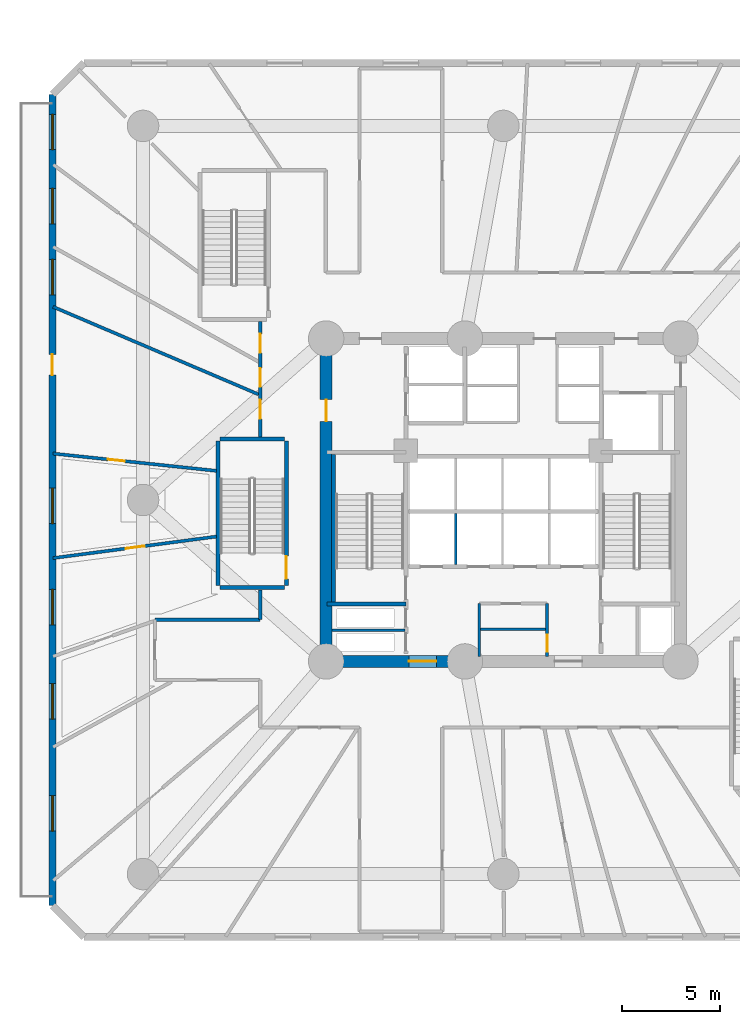
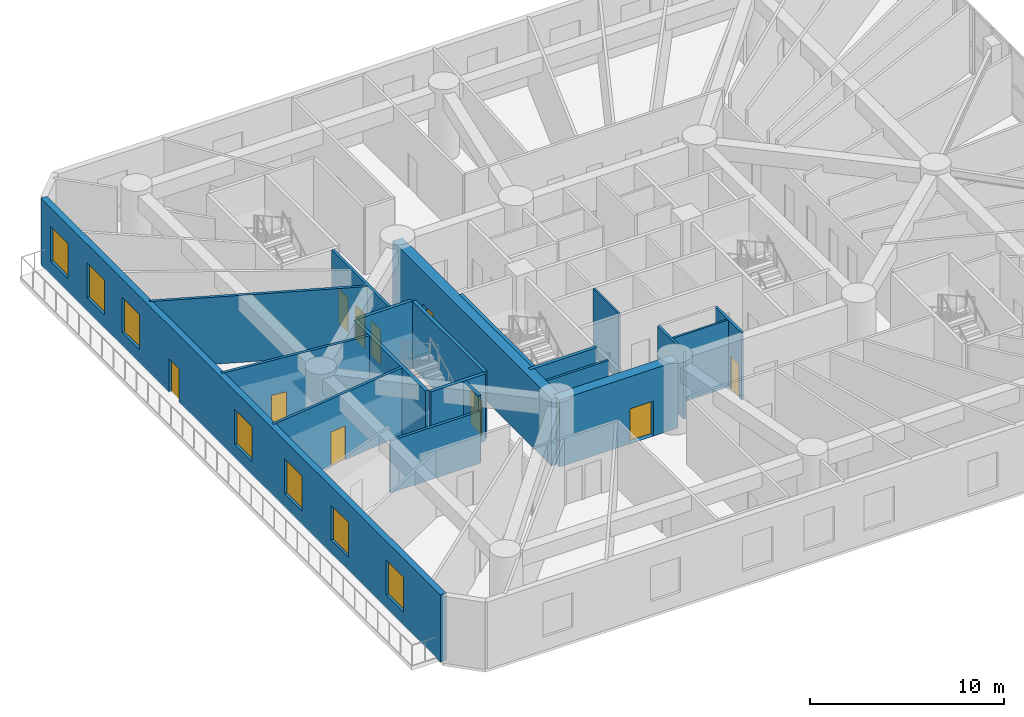
# One storey, part 13 of 24: 20 walls, 10 doors, 7 windows, 17 openings.
"""IFC4 building model written with IfcOpenShell, lengths in metres."""

import ifcopenshell
import ifcopenshell.guid

model = None  # the IFC model being written
_history = None  # IfcOwnerHistory: only IFC2X3 demands one
_inside = {}  # id of a spatial element -> (the spatial element, [elements in it])
_under = {}  # id of a project, library or spatial element -> (it, [spatial elements below it])
_declared = {}  # id of a project -> (the project, [libraries it declares])
_typed = {}  # id of a type object -> (the type object, [elements of that type])
_made_of = {}  # id of a material, layer set ... -> (it, [elements and type objects made of it])


def new_model(schema):
    """Start an empty IFC model of exactly this schema.

    Asked for "IFC4X3", IfcOpenShell would pick the latest addendum, in which some entities
    have other attributes; the version numbers below select the first issue.
    IFC2X3 requires an IfcOwnerHistory on every rooted entity: one is made here for all.
    """
    global model, _history
    if schema == "IFC4X3":
        model = ifcopenshell.file(schema_version=(4, 3, 0, 0))
    else:
        model = ifcopenshell.file(schema=schema)
    _inside.clear()
    _under.clear()
    _declared.clear()
    _typed.clear()
    _made_of.clear()
    _history = None
    if model.schema == "IFC2X3":
        org = make("IfcOrganization", Name="unknown")
        user = make(
            "IfcPersonAndOrganization",
            ThePerson=make("IfcPerson", FamilyName="unknown"),
            TheOrganization=org,
        )
        app = make(
            "IfcApplication",
            ApplicationDeveloper=org,
            Version="unknown",
            ApplicationFullName="unknown",
            ApplicationIdentifier="unknown",
        )
        _history = make(
            "IfcOwnerHistory",
            OwningUser=user,
            OwningApplication=app,
            ChangeAction="ADDED",
            CreationDate=0,
        )
    return model


def make(cls, **values):
    """One entity of the class cls with the attributes given. An attribute that is None is left unset."""
    return model.create_entity(
        cls, **{name: value for name, value in values.items() if value is not None}
    )


def rooted(cls, **values):
    """An entity with a GlobalId (a new one), such as an element, a storey or a relation."""
    return make(cls, GlobalId=ifcopenshell.guid.new(), OwnerHistory=_history, **values)


def si_unit(unit_type, name, prefix=None):
    """IfcSIUnit, for example si_unit("LENGTHUNIT", "METRE", prefix="MILLI")."""
    return make("IfcSIUnit", UnitType=unit_type, Prefix=prefix, Name=name)


def assignment(units):
    """IfcUnitAssignment: the units of a project."""
    return None if units is None else make("IfcUnitAssignment", Units=units)


def point(xyz):
    """IfcCartesianPoint."""
    return None if xyz is None else make("IfcCartesianPoint", Coordinates=xyz)


def direction(xyz):
    """IfcDirection."""
    return None if xyz is None else make("IfcDirection", DirectionRatios=xyz)


def frame(location, z_axis=None, x_axis=None):
    """IfcAxis2Placement3D, a coordinate frame: its origin and axes. An axis left out is left unset."""
    return make(
        "IfcAxis2Placement3D",
        Location=point(location),
        Axis=direction(z_axis),
        RefDirection=direction(x_axis),
    )


def frame_2d(location, x_axis=None):
    """IfcAxis2Placement2D, a coordinate frame in the plane: its origin and x axis."""
    return make(
        "IfcAxis2Placement2D", Location=point(location), RefDirection=direction(x_axis)
    )


def origin():
    """The frame at (0, 0, 0) with its axes left unset."""
    return frame((0.0, 0.0, 0.0))


def origin_with_axes():
    """The frame at (0, 0, 0) with the z axis (0, 0, 1) and the x axis (1, 0, 0) written out."""
    return frame((0.0, 0.0, 0.0), z_axis=(0.0, 0.0, 1.0), x_axis=(1.0, 0.0, 0.0))


def place(relative_to, where):
    """IfcLocalPlacement: puts the frame where relative to a parent placement (None: the world)."""
    return make(
        "IfcLocalPlacement", PlacementRelTo=relative_to, RelativePlacement=where
    )


def context(
    kind, dimensions, precision=None, world=None, true_north=None, identifier=None
):
    """IfcGeometricRepresentationContext, for example the 3D "Model" context."""
    return make(
        "IfcGeometricRepresentationContext",
        ContextIdentifier=identifier,
        ContextType=kind,
        CoordinateSpaceDimension=dimensions,
        Precision=precision,
        WorldCoordinateSystem=world,
        TrueNorth=true_north,
    )


def subcontext(parent, identifier, kind, view, scale=None):
    """IfcGeometricRepresentationSubContext, for example "Body" below "Model"."""
    return make(
        "IfcGeometricRepresentationSubContext",
        ContextIdentifier=identifier,
        ContextType=kind,
        ParentContext=parent,
        TargetScale=scale,
        TargetView=view,
    )


def project(units=None, contexts=None):
    """IfcProject with its units and contexts."""
    return rooted(
        "IfcProject",
        Name="project",
        RepresentationContexts=contexts,
        UnitsInContext=assignment(units),
    )


def spatial(cls, under=None, at=None, **own):
    """A site, building, storey or space (cls), placed at a placement, below another one or the project."""
    s = rooted(cls, ObjectPlacement=at, **own)
    if under is not None:
        _under.setdefault(under.id(), (under, []))[1].append(s)
    return s


def profile(cls, at=None, kind="AREA", **sizes):
    """A parametric profile (cls). Its sizes go by their IFC names, for example OverallWidth=200.0."""
    return make(cls, ProfileType=kind, Position=at, **sizes)


def rectangle(**sizes):
    """IfcRectangleProfileDef."""
    return profile("IfcRectangleProfileDef", **sizes)


def extrude(swept, where, along, depth):
    """IfcExtrudedAreaSolid: the profile swept, set in the frame where, extruded along a direction by depth."""
    return make(
        "IfcExtrudedAreaSolid",
        SweptArea=swept,
        Position=where,
        ExtrudedDirection=direction(along),
        Depth=depth,
    )


def shape(context_of_items, identifier, shape_type, items):
    """IfcShapeRepresentation: the items that make up one representation, for example the "Body"."""
    return make(
        "IfcShapeRepresentation",
        ContextOfItems=context_of_items,
        RepresentationIdentifier=identifier,
        RepresentationType=shape_type,
        Items=items,
    )


def source(mapping_origin, context_of_items, identifier, shape_type, items):
    """IfcRepresentationMap: a shape defined once, which mapped items show again and again."""
    return make(
        "IfcRepresentationMap",
        MappingOrigin=mapping_origin,
        MappedRepresentation=shape(context_of_items, identifier, shape_type, items),
    )


def transform(
    local_origin,
    x_axis=None,
    y_axis=None,
    z_axis=None,
    scale=None,
    scale2=None,
    scale3=None,
    uniform=True,
):
    """IfcCartesianTransformationOperator3D, or its non-uniform kind. x_axis, y_axis, z_axis: its Axis1, 2, 3."""
    if uniform:
        return make(
            "IfcCartesianTransformationOperator3D",
            Axis1=direction(x_axis),
            Axis2=direction(y_axis),
            LocalOrigin=point(local_origin),
            Scale=scale,
            Axis3=direction(z_axis),
        )
    return make(
        "IfcCartesianTransformationOperator3DnonUniform",
        Axis1=direction(x_axis),
        Axis2=direction(y_axis),
        LocalOrigin=point(local_origin),
        Scale=scale,
        Axis3=direction(z_axis),
        Scale2=scale2,
        Scale3=scale3,
    )


def mapped(mapping_source, mapping_target):
    """IfcMappedItem: shows the shape of a source again, moved by a transform."""
    return make(
        "IfcMappedItem", MappingSource=mapping_source, MappingTarget=mapping_target
    )


def material(Name=None, Category=None):
    """IfcMaterial."""
    return make("IfcMaterial", Name=Name, Category=Category)


def layer(
    of_material, thickness, ventilated=None, Name=None, Category=None, Priority=None
):
    """IfcMaterialLayer: one layer of a wall or slab, of a material (None: an air gap)."""
    return make(
        "IfcMaterialLayer",
        Material=of_material,
        LayerThickness=thickness,
        IsVentilated=ventilated,
        Name=Name,
        Category=Category,
        Priority=Priority,
    )


def layer_set(layers, Name=None):
    """IfcMaterialLayerSet."""
    return make("IfcMaterialLayerSet", MaterialLayers=layers, LayerSetName=Name)


def made_of(thing, what):
    """Note that an element or type object is made of a material, layer set ...; save() writes the relation."""
    if what is not None:
        _made_of.setdefault(what.id(), (what, []))[1].append(thing)
    return thing


def type_object(cls, material=None, **own):
    """A type object (cls), such as IfcWallType, which elements share."""
    return made_of(rooted(cls, **own), material)


def element(
    cls,
    number,
    at=None,
    inside=None,
    cuts=None,
    type_object=None,
    material=None,
    context=None,
    identifier="Body",
    shape_type=None,
    held_by="IfcProductDefinitionShape",
    body=None,
    shapes=None,
    **own,
):
    """One element of the class cls, such as IfcWall. Its Tag is "e" and its number.

    at: its placement. inside: the storey or other place that contains it. cuts: it is an
    opening in that element (IfcRelVoidsElement). A single representation is given by context,
    identifier, shape_type and body (its items); several are given by shapes. held_by: the class
    of the entity that holds the representations. save() writes the other relations.
    """
    e = rooted(cls, Tag="e%d" % number, ObjectPlacement=at, **own)
    if body is not None:
        shapes = [shape(context, identifier, shape_type, body)]
    if shapes is not None:
        e.Representation = make(held_by, Representations=shapes)
    if inside is not None:
        _inside.setdefault(inside.id(), (inside, []))[1].append(e)
    if cuts is not None:
        rooted(
            "IfcRelVoidsElement", RelatingBuildingElement=cuts, RelatedOpeningElement=e
        )
    if type_object is not None:
        _typed.setdefault(type_object.id(), (type_object, []))[1].append(e)
    return made_of(e, material)


def fill(opening, filler):
    """IfcRelFillsElement: the door or window that sits in an opening."""
    return rooted(
        "IfcRelFillsElement",
        RelatingOpeningElement=opening,
        RelatedBuildingElement=filler,
    )


def aggregate(whole, parts):
    """IfcRelAggregates: a whole, such as a stair, and the parts it consists of."""
    return rooted("IfcRelAggregates", RelatingObject=whole, RelatedObjects=parts)


def save(model, path):
    """Write the relations noted so far, then the file.

    IfcRelAggregates (storeys below a building ...), IfcRelContainedInSpatialStructure (elements
    in a storey), IfcRelDefinesByType, IfcRelAssociatesMaterial and IfcRelDeclares: one each for
    every whole, place, type object, material and project.
    """
    for whole, parts in _under.values():
        aggregate(whole, parts)
    for where, things in _inside.values():
        rooted(
            "IfcRelContainedInSpatialStructure",
            RelatedElements=things,
            RelatingStructure=where,
        )
    for kind, things in _typed.values():
        rooted("IfcRelDefinesByType", RelatedObjects=things, RelatingType=kind)
    for what, things in _made_of.values():
        rooted("IfcRelAssociatesMaterial", RelatedObjects=things, RelatingMaterial=what)
    for by, libraries in _declared.values():
        rooted("IfcRelDeclares", RelatingContext=by, RelatedDefinitions=libraries)
    model.write(path)


model = new_model("IFC4")

# Units and contexts
model_context = context("Model", 3, precision=1e-05, world=origin(), true_north=direction((0.0, 1.0)))
body_context = subcontext(model_context, "Body", "Model", "MODEL_VIEW")
ifc_project = project(units=[si_unit("LENGTHUNIT", "METRE"), si_unit("AREAUNIT", "SQUARE_METRE"), si_unit("VOLUMEUNIT", "CUBIC_METRE"), si_unit("PLANEANGLEUNIT", "RADIAN"), si_unit("MASSUNIT", "GRAM", prefix="KILO")], contexts=[model_context])

# Site, building, storey
site_placement = place(None, origin())
site = spatial("IfcSite", under=ifc_project, at=site_placement, CompositionType="ELEMENT")
building_placement = place(site_placement, origin())
building = spatial("IfcBuilding", under=site, at=building_placement, Name="Karkom Vertical University and Central Library", CompositionType="ELEMENT")
storey_placement = place(building_placement, frame((0.0, 0.0, 13.5)))
storey = spatial("IfcBuildingStorey", under=building, at=storey_placement, Name="L03", CompositionType="ELEMENT", Elevation=13.5)

# Wall, openings, windows, door
ifc_material_1 = material(Name="Brick masonry 360mm insulated cavity", Category="masonry")
ifc_layer_1 = layer(ifc_material_1, 0.360107421875)
ifc_layer_set_1 = layer_set([ifc_layer_1], Name="Brick masonry 360mm insulated cavity")
wall_type_1 = type_object("IfcWallType", Name="ENV-WL-BRK-360", PredefinedType="SOLIDWALL", material=ifc_layer_set_1)
wall_1_placement = place(storey_placement, frame((5.60009765625, 47.10009765625, 0.0), z_axis=(0.0, 0.0, 1.0), x_axis=(0.0, -1.0, 0.0)))
wall_1 = element("IfcWall", 1, at=wall_1_placement, inside=storey, type_object=wall_type_1, Name="Level 03 POD Terracotta Brick Facade Wall 07", PredefinedType="SOLIDWALL", context=body_context, shape_type="SweptSolid", body=[
    extrude(rectangle(XDim=41.2001953125, YDim=0.360107421875, at=frame_2d((20.60009765625, 0.0))), origin(), (0.0, 0.0, 1.0), 4.22509765625),
])
opening_1_placement = place(wall_1_placement, frame((1.00830078125, 0.0, 0.85009765625)))
opening_1 = element("IfcOpeningElement", 2, at=opening_1_placement, cuts=wall_1, Name="Opening WN-01", PredefinedType="OPENING", context=body_context, shape_type="SweptSolid", body=[
    extrude(rectangle(XDim=1.800048828125, YDim=2.199951171875, at=frame_2d((0.89990234375, 1.10009765625))), frame((0.0, 0.18994140625, 0.0), z_axis=(0.0, -1.0, 0.0), x_axis=(1.0, 0.0, 0.0)), (0.0, 0.0, 1.0), 0.380126953125),
])
opening_2_placement = place(wall_1_placement, frame((4.7734375, 0.0, 0.85009765625)))
opening_2 = element("IfcOpeningElement", 3, at=opening_2_placement, cuts=wall_1, Name="Opening WN-01", PredefinedType="OPENING", context=body_context, shape_type="SweptSolid", body=[
    extrude(rectangle(XDim=1.800048828125, YDim=2.199951171875, at=frame_2d((0.89990234375, 1.10009765625))), frame((0.0, 0.18994140625, 0.0), z_axis=(0.0, -1.0, 0.0), x_axis=(1.0, 0.0, 0.0)), (0.0, 0.0, 1.0), 0.380126953125),
])
opening_3_placement = place(wall_1_placement, frame((8.380615234375, 0.0, 0.85009765625)))
opening_3 = element("IfcOpeningElement", 4, at=opening_3_placement, cuts=wall_1, Name="Opening WN-01", PredefinedType="OPENING", context=body_context, shape_type="SweptSolid", body=[
    extrude(rectangle(XDim=1.800048828125, YDim=2.199951171875, at=frame_2d((0.89990234375, 1.10009765625))), frame((0.0, 0.18994140625, 0.0), z_axis=(0.0, -1.0, 0.0), x_axis=(1.0, 0.0, 0.0)), (0.0, 0.0, 1.0), 0.380126953125),
])
opening_4_placement = place(wall_1_placement, frame((19.995849609375, 0.0, 0.85009765625)))
opening_4 = element("IfcOpeningElement", 5, at=opening_4_placement, cuts=wall_1, Name="Opening WN-01", PredefinedType="OPENING", context=body_context, shape_type="SweptSolid", body=[
    extrude(rectangle(XDim=1.800048828125, YDim=2.199951171875, at=frame_2d((0.89990234375, 1.10009765625))), frame((0.0, 0.18994140625, 0.0), z_axis=(0.0, -1.0, 0.0), x_axis=(1.0, 0.0, 0.0)), (0.0, 0.0, 1.0), 0.380126953125),
])
opening_5_placement = place(wall_1_placement, frame((25.14013671875, 0.0, 0.85009765625)))
opening_5 = element("IfcOpeningElement", 6, at=opening_5_placement, cuts=wall_1, Name="Opening WN-01", PredefinedType="OPENING", context=body_context, shape_type="SweptSolid", body=[
    extrude(rectangle(XDim=1.800048828125, YDim=2.199951171875, at=frame_2d((0.89990234375, 1.10009765625))), frame((0.0, 0.18994140625, 0.0), z_axis=(0.0, -1.0, 0.0), x_axis=(1.0, 0.0, 0.0)), (0.0, 0.0, 1.0), 0.380126953125),
])
opening_6_placement = place(wall_1_placement, frame((29.93310546875, 0.0, 0.85009765625)))
opening_6 = element("IfcOpeningElement", 7, at=opening_6_placement, cuts=wall_1, Name="Opening WN-01", PredefinedType="OPENING", context=body_context, shape_type="SweptSolid", body=[
    extrude(rectangle(XDim=1.800048828125, YDim=2.199951171875, at=frame_2d((0.89990234375, 1.10009765625))), frame((0.0, 0.18994140625, 0.0), z_axis=(0.0, -1.0, 0.0), x_axis=(1.0, 0.0, 0.0)), (0.0, 0.0, 1.0), 0.380126953125),
])
opening_7_placement = place(wall_1_placement, frame((35.61669921875, 0.0, 0.85009765625)))
opening_7 = element("IfcOpeningElement", 8, at=opening_7_placement, cuts=wall_1, Name="Opening WN-01", PredefinedType="OPENING", context=body_context, shape_type="SweptSolid", body=[
    extrude(rectangle(XDim=1.800048828125, YDim=2.199951171875, at=frame_2d((0.89990234375, 1.10009765625))), frame((0.0, 0.18994140625, 0.0), z_axis=(0.0, -1.0, 0.0), x_axis=(1.0, 0.0, 0.0)), (0.0, 0.0, 1.0), 0.380126953125),
])
opening_8_placement = place(wall_1_placement, frame((13.208251953125, 0.0, 0.0)))
opening_8 = element("IfcOpeningElement", 9, at=opening_8_placement, cuts=wall_1, Name="Opening TD-1", PredefinedType="OPENING", context=body_context, shape_type="SweptSolid", body=[
    extrude(rectangle(XDim=1.050048828125, YDim=2.1201171875, at=frame_2d((0.52490234375, 1.06005859375))), frame((0.0, 0.18994140625, 0.0), z_axis=(0.0, -1.0, 0.0), x_axis=(1.0, 0.0, 0.0)), (0.0, 0.0, 1.0), 0.380126953125),
])
ifc_material_2 = material(Name="Aluminium thermal-break frame with solar-control IGU", Category="aluminium")
window_type = type_object("IfcWindowType", Name="ENV-WIN-WN-01", PartitioningType="SINGLE_PANEL", PredefinedType="WINDOW", material=ifc_material_2)
shared_shape_1 = source(origin_with_axes(), body_context, "Body", "SweptSolid", [
    extrude(rectangle(XDim=1.800048828125, YDim=2.199951171875, at=frame_2d((0.89990234375, 1.10009765625))), frame((0.0, 0.030029296875, 0.0), z_axis=(0.0, -1.0, 0.0), x_axis=(1.0, 0.0, 0.0)), (0.0, 0.0, 1.0), 0.06005859375),
])
window_1_placement = place(opening_1_placement, origin())
window_1 = element("IfcWindow", 10, at=window_1_placement, inside=storey, type_object=window_type, Name="Level 03 POD Punched Window 01", OverallHeight=2.199951171875, OverallWidth=1.800048828125, PartitioningType="SINGLE_PANEL", PredefinedType="WINDOW", context=body_context, shape_type="MappedRepresentation", body=[
    mapped(shared_shape_1, transform((0.0, 0.0, 0.0), scale=1.0)),
])
fill(opening_1, window_1)
window_2_placement = place(opening_2_placement, origin())
window_2 = element("IfcWindow", 11, at=window_2_placement, inside=storey, type_object=window_type, Name="Level 03 POD Punched Window 02", OverallHeight=2.199951171875, OverallWidth=1.800048828125, PartitioningType="SINGLE_PANEL", PredefinedType="WINDOW", context=body_context, shape_type="MappedRepresentation", body=[
    mapped(shared_shape_1, transform((0.0, 0.0, 0.0), scale=1.0)),
])
fill(opening_2, window_2)
window_3_placement = place(opening_3_placement, origin())
window_3 = element("IfcWindow", 12, at=window_3_placement, inside=storey, type_object=window_type, Name="Level 03 POD Punched Window 03", OverallHeight=2.199951171875, OverallWidth=1.800048828125, PartitioningType="SINGLE_PANEL", PredefinedType="WINDOW", context=body_context, shape_type="MappedRepresentation", body=[
    mapped(shared_shape_1, transform((0.0, 0.0, 0.0), scale=1.0)),
])
fill(opening_3, window_3)
window_4_placement = place(opening_4_placement, origin())
window_4 = element("IfcWindow", 13, at=window_4_placement, inside=storey, type_object=window_type, Name="Level 03 POD Punched Window 05", OverallHeight=2.199951171875, OverallWidth=1.800048828125, PartitioningType="SINGLE_PANEL", PredefinedType="WINDOW", context=body_context, shape_type="MappedRepresentation", body=[
    mapped(shared_shape_1, transform((0.0, 0.0, 0.0), scale=1.0)),
])
fill(opening_4, window_4)
window_5_placement = place(opening_5_placement, origin())
window_5 = element("IfcWindow", 14, at=window_5_placement, inside=storey, type_object=window_type, Name="Level 03 POD Punched Window 06", OverallHeight=2.199951171875, OverallWidth=1.800048828125, PartitioningType="SINGLE_PANEL", PredefinedType="WINDOW", context=body_context, shape_type="MappedRepresentation", body=[
    mapped(shared_shape_1, transform((0.0, 0.0, 0.0), scale=1.0)),
])
fill(opening_5, window_5)
window_6_placement = place(opening_6_placement, origin())
window_6 = element("IfcWindow", 15, at=window_6_placement, inside=storey, type_object=window_type, Name="Level 03 POD Punched Window 07", OverallHeight=2.199951171875, OverallWidth=1.800048828125, PartitioningType="SINGLE_PANEL", PredefinedType="WINDOW", context=body_context, shape_type="MappedRepresentation", body=[
    mapped(shared_shape_1, transform((0.0, 0.0, 0.0), scale=1.0)),
])
fill(opening_6, window_6)
window_7_placement = place(opening_7_placement, origin())
window_7 = element("IfcWindow", 16, at=window_7_placement, inside=storey, type_object=window_type, Name="Level 03 POD Punched Window 08", OverallHeight=2.199951171875, OverallWidth=1.800048828125, PartitioningType="SINGLE_PANEL", PredefinedType="WINDOW", context=body_context, shape_type="MappedRepresentation", body=[
    mapped(shared_shape_1, transform((0.0, 0.0, 0.0), scale=1.0)),
])
fill(opening_7, window_7)
ifc_material_3 = material(Name="Thermally broken glazed aluminium terrace door", Category="aluminium")
door_type_1 = type_object("IfcDoorType", Name="ENV-DR-TERR", OperationType="NOTDEFINED", PredefinedType="DOOR", material=ifc_material_3)
shared_shape_2 = source(origin_with_axes(), body_context, "Body", "SweptSolid", [
    extrude(rectangle(XDim=1.050048828125, YDim=2.1201171875, at=frame_2d((0.52490234375, 1.06005859375))), frame((0.0, 0.02490234375, 0.0), z_axis=(0.0, -1.0, 0.0), x_axis=(1.0, 0.0, 0.0)), (0.0, 0.0, 1.0), 0.050048828125),
])
door_1_placement = place(opening_8_placement, origin())
door_1 = element("IfcDoor", 17, at=door_1_placement, inside=storey, type_object=door_type_1, Name="Level 03 Outdoor Terrace Access Door", OperationType="SINGLE_SWING_LEFT", OverallHeight=2.1201171875, OverallWidth=1.050048828125, PredefinedType="DOOR", context=body_context, shape_type="MappedRepresentation", body=[
    mapped(shared_shape_2, transform((0.0, 0.0, 0.0), scale=1.0)),
])
fill(opening_8, door_1)

# Wall
ifc_material_4 = material(Name="Insulated metal-stud drywall 160mm", Category="gypsum")
ifc_layer_2 = layer(ifc_material_4, 0.159912109375)
ifc_layer_set_2 = layer_set([ifc_layer_2], Name="Insulated metal-stud drywall 160mm")
wall_type_2 = type_object("IfcWallType", Name="INT-WL-COR-160", PredefinedType="PARTITIONING", material=ifc_layer_set_2)
wall_2_placement = place(storey_placement, frame((16.068115234375, 31.864013671875, 0.0), z_axis=(0.0, 0.0, 1.0), x_axis=(-0.919931152822, 0.392079933263, 0.0)))
element("IfcWall", 18, at=wall_2_placement, inside=storey, type_object=wall_type_2, Name="Level 03 Interior Partition Wall Level 03-PODW-38-39-1", PredefinedType="PARTITIONING", context=body_context, shape_type="SweptSolid", body=[
    extrude(rectangle(XDim=11.346435546875, YDim=0.159912109375, at=frame_2d((5.67333984375, 0.0))), origin(), (0.0, 0.0, 1.0), 4.22509765625),
])

# Wall, opening, door
wall_3_placement = place(storey_placement, frame((13.927978515625, 24.64208984375, 0.0), z_axis=(0.0, 0.0, 1.0), x_axis=(-0.99144526312, -0.130523140618, 0.0)))
wall_3 = element("IfcWall", 19, at=wall_3_placement, inside=storey, type_object=wall_type_2, Name="Level 03 Interior Partition Wall Level 03-PODW-01-02-1", PredefinedType="PARTITIONING", context=body_context, shape_type="SweptSolid", body=[
    extrude(rectangle(XDim=8.3740234375, YDim=0.159912109375, at=frame_2d((4.18701171875, 0.0))), origin(), (0.0, 0.0, 1.0), 4.22509765625),
])
opening_9_placement = place(wall_3_placement, frame((3.68701171875, 0.0, 0.0)))
opening_9 = element("IfcOpeningElement", 20, at=opening_9_placement, cuts=wall_3, Name="Opening FD-RM2", PredefinedType="OPENING", context=body_context, shape_type="SweptSolid", body=[
    extrude(rectangle(XDim=0.9599609375, YDim=2.14990234375, at=frame_2d((0.47998046875, 1.074951171875))), frame((0.0, 0.08984375, 0.0), z_axis=(0.0, -1.0, 0.0), x_axis=(1.0, 0.0, 0.0)), (0.0, 0.0, 1.0), 0.179931640625),
])
ifc_material_5 = material(Name="Fire-rated oak veneer door", Category="wood")
door_type_2 = type_object("IfcDoorType", Name="INT-DR-FRM2", OperationType="NOTDEFINED", PredefinedType="DOOR", material=ifc_material_5)
shared_shape_3 = source(origin_with_axes(), body_context, "Body", "SweptSolid", [
    extrude(rectangle(XDim=0.9599609375, YDim=2.14990234375, at=frame_2d((0.47998046875, 1.074951171875))), frame((0.0, 0.02490234375, 0.0), z_axis=(0.0, -1.0, 0.0), x_axis=(1.0, 0.0, 0.0)), (0.0, 0.0, 1.0), 0.050048828125),
])
door_2_placement = place(opening_9_placement, origin())
door_2 = element("IfcDoor", 21, at=door_2_placement, inside=storey, type_object=door_type_2, Name="Level 03 Room Entry Door 800", OperationType="SINGLE_SWING_LEFT", OverallHeight=2.14990234375, OverallWidth=0.9599609375, PredefinedType="DOOR", context=body_context, shape_type="MappedRepresentation", body=[
    mapped(shared_shape_3, transform((0.0, 0.0, 0.0), scale=1.0)),
])
fill(opening_9, door_2)

wall_4_placement = place(storey_placement, frame((5.62548828125, 28.8583984375, 0.0), z_axis=(0.0, 0.0, 1.0), x_axis=(0.994455668477, -0.105156661389, 0.0)))
wall_4 = element("IfcWall", 22, at=wall_4_placement, inside=storey, type_object=wall_type_2, Name="Level 03 Interior Partition Wall Level 03-PODW-01-40-1", PredefinedType="PARTITIONING", context=body_context, shape_type="SweptSolid", body=[
    extrude(rectangle(XDim=8.348876953125, YDim=0.159912109375, at=frame_2d((4.17431640625, 0.0))), origin(), (0.0, 0.0, 1.0), 4.22509765625),
])
opening_10_placement = place(wall_4_placement, frame((2.804443359375, 0.0, 0.0)))
opening_10 = element("IfcOpeningElement", 23, at=opening_10_placement, cuts=wall_4, Name="Opening FD-BTH2", PredefinedType="OPENING", context=body_context, shape_type="SweptSolid", body=[
    extrude(rectangle(XDim=0.860107421875, YDim=2.0400390625, at=frame_2d((0.43017578125, 1.02001953125))), frame((0.0, 0.08984375, 0.0), z_axis=(0.0, -1.0, 0.0), x_axis=(1.0, 0.0, 0.0)), (0.0, 0.0, 1.0), 0.179931640625),
])
ifc_material_6 = material(Name="Fire-rated moisture-resistant oak door", Category="wood")
door_type_3 = type_object("IfcDoorType", Name="INT-DR-FBTH2", OperationType="NOTDEFINED", PredefinedType="DOOR", material=ifc_material_6)
shared_shape_4 = source(origin_with_axes(), body_context, "Body", "SweptSolid", [
    extrude(rectangle(XDim=0.860107421875, YDim=2.0400390625, at=frame_2d((0.43017578125, 1.02001953125))), frame((0.0, 0.02490234375, 0.0), z_axis=(0.0, -1.0, 0.0), x_axis=(1.0, 0.0, 0.0)), (0.0, 0.0, 1.0), 0.050048828125),
])
door_3_placement = place(opening_10_placement, origin())
door_3 = element("IfcDoor", 24, at=door_3_placement, inside=storey, type_object=door_type_3, Name="Level 03 Studio Supply Store Entry Door", OperationType="SINGLE_SWING_LEFT", OverallHeight=2.0400390625, OverallWidth=0.860107421875, PredefinedType="DOOR", context=body_context, shape_type="MappedRepresentation", body=[
    mapped(shared_shape_4, transform((0.0, 0.0, 0.0), scale=1.0)),
])
fill(opening_10, door_3)

# Wall, openings, doors
wall_5_placement = place(storey_placement, frame((16.14990234375, 29.7119140625, 0.0), z_axis=(0.0, 0.0, 1.0), x_axis=(0.0, 1.0, 0.0)))
wall_5 = element("IfcWall", 25, at=wall_5_placement, inside=storey, type_object=wall_type_2, Name="Level 03 Interior Partition Wall Level 03-PDCW-CW-001", PredefinedType="PARTITIONING", context=body_context, shape_type="SweptSolid", body=[
    extrude(rectangle(XDim=5.86083984375, YDim=0.159912109375, at=frame_2d((2.930419921875, 0.0))), origin(), (0.0, 0.0, 1.0), 4.22509765625),
])
opening_11_placement = place(wall_5_placement, frame((4.262451171875, 0.0, 0.0)))
opening_11 = element("IfcOpeningElement", 26, at=opening_11_placement, cuts=wall_5, Name="Opening FD-RM2", PredefinedType="OPENING", context=body_context, shape_type="SweptSolid", body=[
    extrude(rectangle(XDim=0.9599609375, YDim=2.14990234375, at=frame_2d((0.47998046875, 1.074951171875))), frame((0.0, 0.08984375, 0.0), z_axis=(0.0, -1.0, 0.0), x_axis=(1.0, 0.0, 0.0)), (0.0, 0.0, 1.0), 0.179931640625),
])
opening_12_placement = place(wall_5_placement, frame((2.530029296875, 0.0, 0.0)))
opening_12 = element("IfcOpeningElement", 27, at=opening_12_placement, cuts=wall_5, Name="Opening FD-RM2", PredefinedType="OPENING", context=body_context, shape_type="SweptSolid", body=[
    extrude(rectangle(XDim=0.9599609375, YDim=2.14990234375, at=frame_2d((0.47998046875, 1.074951171875))), frame((0.0, 0.08984375, 0.0), z_axis=(0.0, -1.0, 0.0), x_axis=(1.0, 0.0, 0.0)), (0.0, 0.0, 1.0), 0.179931640625),
])
opening_13_placement = place(wall_5_placement, frame((0.907470703125, 0.0, 0.0)))
opening_13 = element("IfcOpeningElement", 28, at=opening_13_placement, cuts=wall_5, Name="Opening FD-RM2", PredefinedType="OPENING", context=body_context, shape_type="SweptSolid", body=[
    extrude(rectangle(XDim=0.9599609375, YDim=2.14990234375, at=frame_2d((0.47998046875, 1.074951171875))), frame((0.0, 0.08984375, 0.0), z_axis=(0.0, -1.0, 0.0), x_axis=(1.0, 0.0, 0.0)), (0.0, 0.0, 1.0), 0.179931640625),
])
door_4_placement = place(opening_11_placement, origin())
door_4 = element("IfcDoor", 29, at=door_4_placement, inside=storey, type_object=door_type_2, Name="Level 03 Room Entry Door 836", OperationType="SINGLE_SWING_LEFT", OverallHeight=2.14990234375, OverallWidth=0.9599609375, PredefinedType="DOOR", context=body_context, shape_type="MappedRepresentation", body=[
    mapped(shared_shape_3, transform((0.0, 0.0, 0.0), scale=1.0)),
])
fill(opening_11, door_4)
door_5_placement = place(opening_12_placement, origin())
door_5 = element("IfcDoor", 30, at=door_5_placement, inside=storey, type_object=door_type_2, Name="Level 03 Room Entry Door 837", OperationType="SINGLE_SWING_RIGHT", OverallHeight=2.14990234375, OverallWidth=0.9599609375, PredefinedType="DOOR", context=body_context, shape_type="MappedRepresentation", body=[
    mapped(shared_shape_3, transform((0.0, 0.0, 0.0), scale=1.0)),
])
fill(opening_12, door_5)
door_6_placement = place(opening_13_placement, origin())
door_6 = element("IfcDoor", 31, at=door_6_placement, inside=storey, type_object=door_type_2, Name="Level 03 Room Entry Door 838", OperationType="SINGLE_SWING_LEFT", OverallHeight=2.14990234375, OverallWidth=0.9599609375, PredefinedType="DOOR", context=body_context, shape_type="MappedRepresentation", body=[
    mapped(shared_shape_3, transform((0.0, 0.0, 0.0), scale=1.0)),
])
fill(opening_13, door_6)

# Walls
wall_6_placement = place(storey_placement, frame((10.800048828125, 20.419921875, 0.0), z_axis=(0.0, 0.0, 1.0), x_axis=(1.0, 0.0, 0.0)))
element("IfcWall", 32, at=wall_6_placement, inside=storey, type_object=wall_type_2, Name="Level 03 Interior Partition Wall Level 03-PDCW-CW-018", PredefinedType="PARTITIONING", context=body_context, shape_type="SweptSolid", body=[
    extrude(rectangle(XDim=5.349853515625, YDim=0.159912109375, at=frame_2d((2.6748046875, 0.0))), origin(), (0.0, 0.0, 1.0), 3.27490234375),
])
wall_7_placement = place(storey_placement, frame((16.14990234375, 20.419921875, 0.0), z_axis=(0.0, 0.0, 1.0), x_axis=(0.0, 1.0, 0.0)))
element("IfcWall", 33, at=wall_7_placement, inside=storey, type_object=wall_type_2, Name="Level 03 Interior Partition Wall Level 03-PDCW-CW-019", PredefinedType="PARTITIONING", context=body_context, shape_type="SweptSolid", body=[
    extrude(rectangle(XDim=1.51806640625, YDim=0.159912109375, at=frame_2d((0.759033203125, 0.0))), origin(), (0.0, 0.0, 1.0), 4.22509765625),
])
ifc_material_7 = material(Name="Moisture-resistant drywall 120mm", Category="gypsum")
ifc_layer_3 = layer(ifc_material_7, 0.1201171875)
ifc_layer_set_3 = layer_set([ifc_layer_3], Name="Moisture-resistant drywall 120mm")
wall_type_3 = type_object("IfcWallType", Name="INT-WL-INT-120", PredefinedType="PARTITIONING", material=ifc_layer_set_3)
wall_8_placement = place(storey_placement, frame((27.280029296875, 19.93994140625, 0.0), z_axis=(0.0, 0.0, 1.0), x_axis=(1.0, 0.0, 0.0)))
element("IfcWall", 34, at=wall_8_placement, inside=storey, type_object=wall_type_3, Name="Level 03 Interior Partition Wall Level 03-CW-K4-DIV", PredefinedType="PARTITIONING", context=body_context, shape_type="SweptSolid", body=[
    extrude(rectangle(XDim=3.43994140625, YDim=0.1201171875, at=frame_2d((1.719970703125, 0.0))), origin(), (0.0, 0.0, 1.0), 4.22509765625),
])
ifc_layer_4 = layer(ifc_material_7, 0.1201171875)
ifc_layer_set_4 = layer_set([ifc_layer_4], Name="Moisture-resistant drywall 120mm")
wall_type_4 = type_object("IfcWallType", Name="INT-WL-INT-120H", PredefinedType="PARTITIONING", material=ifc_layer_set_4)
wall_9_placement = place(storey_placement, frame((26.080078125, 23.219970703125, 0.0), z_axis=(0.0, 0.0, 1.0), x_axis=(0.0, 1.0, 0.0)))
element("IfcWall", 35, at=wall_9_placement, inside=storey, type_object=wall_type_4, Name="Level 03 Interior Partition Wall Level 03-CW-PL-DIV1", PredefinedType="PARTITIONING", context=body_context, shape_type="SweptSolid", body=[
    extrude(rectangle(XDim=2.60009765625, YDim=0.1201171875, at=frame_2d((1.300048828125, 0.0))), origin(), (0.0, 0.0, 1.0), 4.22509765625),
])
ifc_material_8 = material(Name="Metal-stud gypsum partition 140mm", Category="gypsum")
ifc_layer_5 = layer(ifc_material_8, 0.139892578125)
ifc_layer_set_5 = layer_set([ifc_layer_5], Name="Metal-stud gypsum partition 140mm")
wall_type_5 = type_object("IfcWallType", Name="INT-WL-SUB-140", PredefinedType="PARTITIONING", material=ifc_layer_set_5)
wall_10_placement = place(storey_placement, frame((27.280029296875, 18.550048828125, 0.0), z_axis=(0.0, 0.0, 1.0), x_axis=(0.0, 1.0, 0.0)))
element("IfcWall", 36, at=wall_10_placement, inside=storey, type_object=wall_type_5, Name="Level 03 Interior Partition Wall Level 03-CW-KBAY-W", PredefinedType="PARTITIONING", context=body_context, shape_type="SweptSolid", body=[
    extrude(rectangle(XDim=2.68994140625, YDim=0.139892578125, at=frame_2d((1.344970703125, 0.0))), origin(), (0.0, 0.0, 1.0), 4.22509765625),
])

# Wall, opening, door
wall_11_placement = place(storey_placement, frame((30.719970703125, 18.550048828125, 0.0), z_axis=(0.0, 0.0, 1.0), x_axis=(0.0, 1.0, 0.0)))
wall_11 = element("IfcWall", 37, at=wall_11_placement, inside=storey, type_object=wall_type_5, Name="Level 03 Interior Partition Wall Level 03-CW-KBAY-E", PredefinedType="PARTITIONING", context=body_context, shape_type="SweptSolid", body=[
    extrude(rectangle(XDim=2.68994140625, YDim=0.139892578125, at=frame_2d((1.344970703125, 0.0))), origin(), (0.0, 0.0, 1.0), 4.22509765625),
])
opening_14_placement = place(wall_11_placement, frame((0.25, 0.0, 0.0)))
opening_14 = element("IfcOpeningElement", 38, at=opening_14_placement, cuts=wall_11, Name="Opening FD-BTH1", PredefinedType="OPENING", context=body_context, shape_type="SweptSolid", body=[
    extrude(rectangle(XDim=0.860107421875, YDim=2.10009765625, at=frame_2d((0.43017578125, 1.050048828125))), frame((0.0, 0.080078125, 0.0), z_axis=(0.0, -1.0, 0.0), x_axis=(1.0, 0.0, 0.0)), (0.0, 0.0, 1.0), 0.159912109375),
])
door_type_4 = type_object("IfcDoorType", Name="INT-DR-FBTH1", OperationType="NOTDEFINED", PredefinedType="DOOR", material=ifc_material_6)
shared_shape_5 = source(origin_with_axes(), body_context, "Body", "SweptSolid", [
    extrude(rectangle(XDim=0.860107421875, YDim=2.10009765625, at=frame_2d((0.43017578125, 1.050048828125))), frame((0.0, 0.02490234375, 0.0), z_axis=(0.0, -1.0, 0.0), x_axis=(1.0, 0.0, 0.0)), (0.0, 0.0, 1.0), 0.050048828125),
])
door_7_placement = place(opening_14_placement, origin())
door_7 = element("IfcDoor", 39, at=door_7_placement, inside=storey, type_object=door_type_4, Name="Level 03 Metering Cupboard Door", OperationType="SINGLE_SWING_LEFT", OverallHeight=2.10009765625, OverallWidth=0.860107421875, PredefinedType="DOOR", context=body_context, shape_type="MappedRepresentation", body=[
    mapped(shared_shape_5, transform((0.0, 0.0, 0.0), scale=1.0)),
])
fill(opening_14, door_7)

# Wall
ifc_layer_6 = layer(ifc_material_8, 0.139892578125)
ifc_layer_set_6 = layer_set([ifc_layer_6], Name="Metal-stud gypsum partition 140mm")
wall_type_6 = type_object("IfcWallType", Name="INT-WL-SUB-140H", PredefinedType="PARTITIONING", material=ifc_layer_set_6)
wall_12_placement = place(storey_placement, frame((19.806884765625, 19.889892578125, 0.0), z_axis=(0.0, 0.0, 1.0), x_axis=(1.0, 0.0, 0.0)))
element("IfcWall", 40, at=wall_12_placement, inside=storey, type_object=wall_type_6, Name="Level 03 Interior Partition Wall Level 03-CW-RIS-W", PredefinedType="PARTITIONING", context=body_context, shape_type="SweptSolid", body=[
    extrude(rectangle(XDim=3.68896484375, YDim=0.139892578125, at=frame_2d((1.844482421875, 0.0))), origin(), (0.0, 0.0, 1.0), 4.22509765625),
])

# Wall, opening, door
ifc_material_9 = material(Name="Concrete C50/60", Category="concrete")
ifc_layer_7 = layer(ifc_material_9, 0.60009765625)
ifc_layer_set_7 = layer_set([ifc_layer_7], Name="Concrete C50/60")
wall_type_7 = type_object("IfcWallType", Name="STR-WL-CW-600", PredefinedType="SHEAR", material=ifc_layer_set_7)
wall_13_placement = place(storey_placement, frame((19.5, 18.300048828125, 0.0), z_axis=(0.0, 0.0, 1.0), x_axis=(1.0, 0.0, 0.0)))
wall_13 = element("IfcWall", 41, at=wall_13_placement, inside=storey, type_object=wall_type_7, Name="Level 03 Central Core Shear Wall SW1", PredefinedType="SHEAR", context=body_context, shape_type="SweptSolid", body=[
    extrude(rectangle(XDim=7.050048828125, YDim=0.60009765625, at=frame_2d((3.52490234375, 0.0))), origin(), (0.0, 0.0, 1.0), 4.22509765625),
])
opening_15_placement = place(wall_13_placement, frame((4.199951171875, 0.0, 0.0)))
opening_15 = element("IfcOpeningElement", 42, at=opening_15_placement, cuts=wall_13, Name="Opening FD-CLB", PredefinedType="OPENING", context=body_context, shape_type="SweptSolid", body=[
    extrude(rectangle(XDim=1.39990234375, YDim=2.199951171875, at=frame_2d((0.699951171875, 1.10009765625))), frame((0.0, 0.31005859375, 0.0), z_axis=(0.0, -1.0, 0.0), x_axis=(1.0, 0.0, 0.0)), (0.0, 0.0, 1.0), 0.6201171875),
])
ifc_material_10 = material(Name="Painted steel fire door", Category="steel")
door_type_5 = type_object("IfcDoorType", Name="INT-DR-CLB", OperationType="DOUBLE_DOOR_SINGLE_SWING", PredefinedType="DOOR", material=ifc_material_10)
shared_shape_6 = source(origin_with_axes(), body_context, "Body", "SweptSolid", [
    extrude(rectangle(XDim=1.39990234375, YDim=2.199951171875, at=frame_2d((0.699951171875, 1.10009765625))), frame((0.0, 0.02490234375, 0.0), z_axis=(0.0, -1.0, 0.0), x_axis=(1.0, 0.0, 0.0)), (0.0, 0.0, 1.0), 0.050048828125),
])
door_8_placement = place(opening_15_placement, origin())
door_8 = element("IfcDoor", 43, at=door_8_placement, inside=storey, type_object=door_type_5, Name="Level 03 South Core Lobby West Exit Door", OperationType="DOUBLE_DOOR_SINGLE_SWING", OverallHeight=2.199951171875, OverallWidth=1.39990234375, PredefinedType="DOOR", context=body_context, shape_type="MappedRepresentation", body=[
    mapped(shared_shape_6, transform((0.0, 0.0, 0.0), scale=1.0)),
])
fill(opening_15, door_8)

wall_14_placement = place(storey_placement, frame((19.5, 34.699951171875, 0.0), z_axis=(0.0, 0.0, 1.0), x_axis=(0.0, -1.0, 0.0)))
wall_14 = element("IfcWall", 44, at=wall_14_placement, inside=storey, type_object=wall_type_7, Name="Level 03 Central Core Shear Wall WW", PredefinedType="SHEAR", context=body_context, shape_type="SweptSolid", body=[
    extrude(rectangle(XDim=16.39990234375, YDim=0.60009765625, at=frame_2d((8.199951171875, 0.0))), origin(), (0.0, 0.0, 1.0), 4.22509765625),
])
opening_16_placement = place(wall_14_placement, frame((3.10009765625, 0.0, 0.0)))
opening_16 = element("IfcOpeningElement", 45, at=opening_16_placement, cuts=wall_14, Name="Opening FD-FFL", PredefinedType="OPENING", context=body_context, shape_type="SweptSolid", body=[
    extrude(rectangle(XDim=1.10009765625, YDim=2.14990234375, at=frame_2d((0.550048828125, 1.074951171875))), frame((0.0, 0.31005859375, 0.0), z_axis=(0.0, -1.0, 0.0), x_axis=(1.0, 0.0, 0.0)), (0.0, 0.0, 1.0), 0.6201171875),
])
ifc_material_11 = material(Name="Painted steel smoke-seal fire door", Category="steel")
door_type_6 = type_object("IfcDoorType", Name="INT-DR-FFL", OperationType="NOTDEFINED", PredefinedType="DOOR", material=ifc_material_11)
shared_shape_7 = source(origin_with_axes(), body_context, "Body", "SweptSolid", [
    extrude(rectangle(XDim=1.10009765625, YDim=2.14990234375, at=frame_2d((0.550048828125, 1.074951171875))), frame((0.0, 0.02490234375, 0.0), z_axis=(0.0, -1.0, 0.0), x_axis=(1.0, 0.0, 0.0)), (0.0, 0.0, 1.0), 0.050048828125),
])
door_9_placement = place(opening_16_placement, origin())
door_9 = element("IfcDoor", 46, at=door_9_placement, inside=storey, type_object=door_type_6, Name="Level 03 West Corridor Firefighting Lobby Door", OperationType="SINGLE_SWING_LEFT", OverallHeight=2.14990234375, OverallWidth=1.10009765625, PredefinedType="DOOR", context=body_context, shape_type="MappedRepresentation", body=[
    mapped(shared_shape_7, transform((0.0, 0.0, 0.0), scale=1.0)),
])
fill(opening_16, door_9)

# Walls
ifc_material_12 = material(Name="Concrete C45/55", Category="concrete")
ifc_layer_8 = layer(ifc_material_12, 0.199951171875)
ifc_layer_set_8 = layer_set([ifc_layer_8], Name="Concrete C45/55")
wall_type_8 = type_object("IfcWallType", Name="STR-WL-ST-200", PredefinedType="SHEAR", material=ifc_layer_set_8)
wall_15_placement = place(storey_placement, frame((19.875, 21.320068359375, 0.0), z_axis=(0.0, 0.0, 1.0), x_axis=(0.0, 1.0, 0.0)))
element("IfcWall", 47, at=wall_15_placement, inside=storey, type_object=wall_type_8, Name="Level 03 Core Shaft Wall Level 03-CW-ST1-W", PredefinedType="SHEAR", context=body_context, shape_type="SweptSolid", body=[
    extrude(rectangle(XDim=7.5, YDim=0.199951171875, at=frame_2d((3.75, 0.0))), origin(), (0.0, 0.0, 1.0), 4.22509765625),
])
wall_16_placement = place(storey_placement, frame((14.014892578125, 22.14990234375, 0.0), z_axis=(0.0, 0.0, 1.0), x_axis=(0.0, 1.0, 0.0)))
element("IfcWall", 48, at=wall_16_placement, inside=storey, type_object=wall_type_8, Name="Level 03 Core Shaft Wall Level 03-W-ST3-W", PredefinedType="SHEAR", context=body_context, shape_type="SweptSolid", body=[
    extrude(rectangle(XDim=7.35009765625, YDim=0.199951171875, at=frame_2d((3.675048828125, 0.0))), origin(), (0.0, 0.0, 1.0), 4.22509765625),
])

# Wall, opening, door
wall_17_placement = place(storey_placement, frame((17.485107421875, 22.14990234375, 0.0), z_axis=(0.0, 0.0, 1.0), x_axis=(0.0, 1.0, 0.0)))
wall_17 = element("IfcWall", 49, at=wall_17_placement, inside=storey, type_object=wall_type_8, Name="Level 03 Core Shaft Wall Level 03-W-ST3-E", PredefinedType="SHEAR", context=body_context, shape_type="SweptSolid", body=[
    extrude(rectangle(XDim=7.35009765625, YDim=0.199951171875, at=frame_2d((3.675048828125, 0.0))), origin(), (0.0, 0.0, 1.0), 4.22509765625),
])
opening_17_placement = place(wall_17_placement, frame((0.35009765625, 0.0, 0.0)))
opening_17 = element("IfcOpeningElement", 50, at=opening_17_placement, cuts=wall_17, Name="Opening FD-ST1", PredefinedType="OPENING", context=body_context, shape_type="SweptSolid", body=[
    extrude(rectangle(XDim=1.14990234375, YDim=2.14990234375, at=frame_2d((0.574951171875, 1.074951171875))), frame((0.0, 0.10986328125, 0.0), z_axis=(0.0, -1.0, 0.0), x_axis=(1.0, 0.0, 0.0)), (0.0, 0.0, 1.0), 0.219970703125),
])
ifc_material_13 = material(Name="Painted steel acoustic fire door", Category="steel")
door_type_7 = type_object("IfcDoorType", Name="INT-DR-ST1", OperationType="NOTDEFINED", PredefinedType="DOOR", material=ifc_material_13)
shared_shape_8 = source(origin_with_axes(), body_context, "Body", "SweptSolid", [
    extrude(rectangle(XDim=1.14990234375, YDim=2.14990234375, at=frame_2d((0.574951171875, 1.074951171875))), frame((0.0, 0.02490234375, 0.0), z_axis=(0.0, -1.0, 0.0), x_axis=(1.0, 0.0, 0.0)), (0.0, 0.0, 1.0), 0.050048828125),
])
door_10_placement = place(opening_17_placement, origin())
door_10 = element("IfcDoor", 51, at=door_10_placement, inside=storey, type_object=door_type_7, Name="Level 03 ST3 Stair Door", OperationType="SINGLE_SWING_RIGHT", OverallHeight=2.14990234375, OverallWidth=1.14990234375, PredefinedType="DOOR", context=body_context, shape_type="MappedRepresentation", body=[
    mapped(shared_shape_8, transform((0.0, 0.0, 0.0), scale=1.0)),
])
fill(opening_17, door_10)

# Walls
wall_18_placement = place(storey_placement, frame((19.550048828125, 21.215087890625, 0.0), z_axis=(0.0, 0.0, 1.0), x_axis=(1.0, 0.0, 0.0)))
element("IfcWall", 52, at=wall_18_placement, inside=storey, type_object=wall_type_8, Name="Level 03 Core Shaft Wall Level 03-CW-ST1-S", PredefinedType="SHEAR", context=body_context, shape_type="SweptSolid", body=[
    extrude(rectangle(XDim=3.994873046875, YDim=0.199951171875, at=frame_2d((1.99755859375, 0.0))), origin(), (0.0, 0.0, 1.0), 4.22509765625),
])
for number, where, z_axis, x_axis, name in (
    (53, (14.1201171875, 22.044921875, 0.0), (0.0, 0.0, 1.0), (1.0, 0.0, 0.0), "Level 03 Core Shaft Wall Level 03-W-ST3-S"),
    (54, (14.1201171875, 29.60498046875, 0.0), (0.0, 0.0, 1.0), (1.0, 0.0, 0.0), "Level 03 Core Shaft Wall Level 03-W-ST3-N"),
):
    element("IfcWall", number, at=place(storey_placement, frame(where, z_axis=z_axis, x_axis=x_axis)), inside=storey, type_object=wall_type_8, Name=name, PredefinedType="SHEAR", context=body_context, shape_type="SweptSolid", body=[
        extrude(rectangle(XDim=3.259765625, YDim=0.199951171875, at=frame_2d((1.6298828125, 0.0))), origin(), (0.0, 0.0, 1.0), 4.22509765625),
    ])

save(model, "model.ifc")
